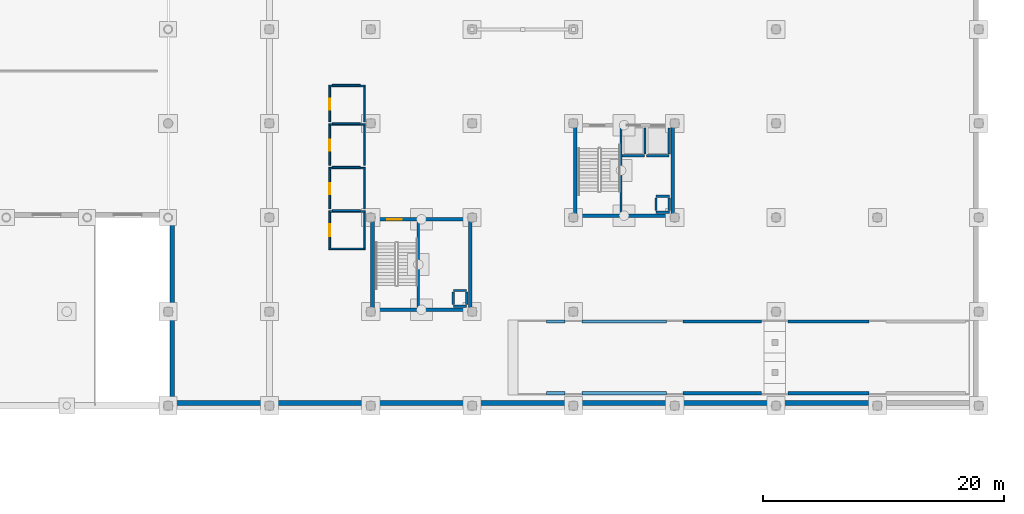
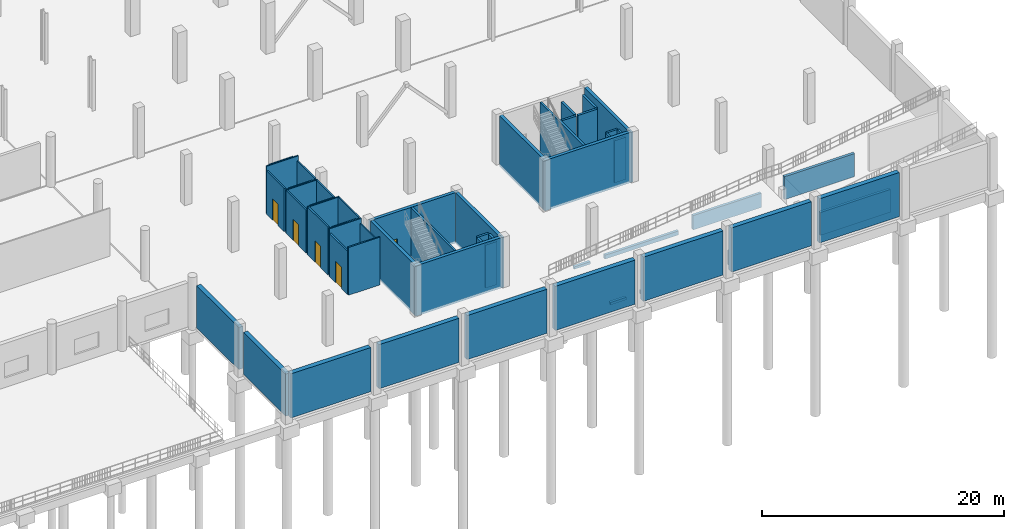
# One storey, part 32 of 48: 55 walls, 5 doors, 5 openings.
"""IFC4 building model written with IfcOpenShell, lengths in metres."""

import ifcopenshell
import ifcopenshell.guid

model = None  # the IFC model being written
_history = None  # IfcOwnerHistory: only IFC2X3 demands one
_inside = {}  # id of a spatial element -> (the spatial element, [elements in it])
_under = {}  # id of a project, library or spatial element -> (it, [spatial elements below it])
_declared = {}  # id of a project -> (the project, [libraries it declares])
_typed = {}  # id of a type object -> (the type object, [elements of that type])
_made_of = {}  # id of a material, layer set ... -> (it, [elements and type objects made of it])


def new_model(schema):
    """Start an empty IFC model of exactly this schema.

    Asked for "IFC4X3", IfcOpenShell would pick the latest addendum, in which some entities
    have other attributes; the version numbers below select the first issue.
    IFC2X3 requires an IfcOwnerHistory on every rooted entity: one is made here for all.
    """
    global model, _history
    if schema == "IFC4X3":
        model = ifcopenshell.file(schema_version=(4, 3, 0, 0))
    else:
        model = ifcopenshell.file(schema=schema)
    _inside.clear()
    _under.clear()
    _declared.clear()
    _typed.clear()
    _made_of.clear()
    _history = None
    if model.schema == "IFC2X3":
        org = make("IfcOrganization", Name="unknown")
        user = make(
            "IfcPersonAndOrganization",
            ThePerson=make("IfcPerson", FamilyName="unknown"),
            TheOrganization=org,
        )
        app = make(
            "IfcApplication",
            ApplicationDeveloper=org,
            Version="unknown",
            ApplicationFullName="unknown",
            ApplicationIdentifier="unknown",
        )
        _history = make(
            "IfcOwnerHistory",
            OwningUser=user,
            OwningApplication=app,
            ChangeAction="ADDED",
            CreationDate=0,
        )
    return model


def make(cls, **values):
    """One entity of the class cls with the attributes given. An attribute that is None is left unset."""
    return model.create_entity(
        cls, **{name: value for name, value in values.items() if value is not None}
    )


def rooted(cls, **values):
    """An entity with a GlobalId (a new one), such as an element, a storey or a relation."""
    return make(cls, GlobalId=ifcopenshell.guid.new(), OwnerHistory=_history, **values)


def si_unit(unit_type, name, prefix=None):
    """IfcSIUnit, for example si_unit("LENGTHUNIT", "METRE", prefix="MILLI")."""
    return make("IfcSIUnit", UnitType=unit_type, Prefix=prefix, Name=name)


def assignment(units):
    """IfcUnitAssignment: the units of a project."""
    return None if units is None else make("IfcUnitAssignment", Units=units)


def point(xyz):
    """IfcCartesianPoint."""
    return None if xyz is None else make("IfcCartesianPoint", Coordinates=xyz)


def direction(xyz):
    """IfcDirection."""
    return None if xyz is None else make("IfcDirection", DirectionRatios=xyz)


def frame(location, z_axis=None, x_axis=None):
    """IfcAxis2Placement3D, a coordinate frame: its origin and axes. An axis left out is left unset."""
    return make(
        "IfcAxis2Placement3D",
        Location=point(location),
        Axis=direction(z_axis),
        RefDirection=direction(x_axis),
    )


def frame_2d(location, x_axis=None):
    """IfcAxis2Placement2D, a coordinate frame in the plane: its origin and x axis."""
    return make(
        "IfcAxis2Placement2D", Location=point(location), RefDirection=direction(x_axis)
    )


def origin():
    """The frame at (0, 0, 0) with its axes left unset."""
    return frame((0.0, 0.0, 0.0))


def place(relative_to, where):
    """IfcLocalPlacement: puts the frame where relative to a parent placement (None: the world)."""
    return make(
        "IfcLocalPlacement", PlacementRelTo=relative_to, RelativePlacement=where
    )


def context(
    kind, dimensions, precision=None, world=None, true_north=None, identifier=None
):
    """IfcGeometricRepresentationContext, for example the 3D "Model" context."""
    return make(
        "IfcGeometricRepresentationContext",
        ContextIdentifier=identifier,
        ContextType=kind,
        CoordinateSpaceDimension=dimensions,
        Precision=precision,
        WorldCoordinateSystem=world,
        TrueNorth=true_north,
    )


def subcontext(parent, identifier, kind, view, scale=None):
    """IfcGeometricRepresentationSubContext, for example "Body" below "Model"."""
    return make(
        "IfcGeometricRepresentationSubContext",
        ContextIdentifier=identifier,
        ContextType=kind,
        ParentContext=parent,
        TargetScale=scale,
        TargetView=view,
    )


def project(units=None, contexts=None):
    """IfcProject with its units and contexts."""
    return rooted(
        "IfcProject",
        Name="project",
        RepresentationContexts=contexts,
        UnitsInContext=assignment(units),
    )


def spatial(cls, under=None, at=None, **own):
    """A site, building, storey or space (cls), placed at a placement, below another one or the project."""
    s = rooted(cls, ObjectPlacement=at, **own)
    if under is not None:
        _under.setdefault(under.id(), (under, []))[1].append(s)
    return s


def profile(cls, at=None, kind="AREA", **sizes):
    """A parametric profile (cls). Its sizes go by their IFC names, for example OverallWidth=200.0."""
    return make(cls, ProfileType=kind, Position=at, **sizes)


def rectangle(**sizes):
    """IfcRectangleProfileDef."""
    return profile("IfcRectangleProfileDef", **sizes)


def extrude(swept, where, along, depth):
    """IfcExtrudedAreaSolid: the profile swept, set in the frame where, extruded along a direction by depth."""
    return make(
        "IfcExtrudedAreaSolid",
        SweptArea=swept,
        Position=where,
        ExtrudedDirection=direction(along),
        Depth=depth,
    )


def shape(context_of_items, identifier, shape_type, items):
    """IfcShapeRepresentation: the items that make up one representation, for example the "Body"."""
    return make(
        "IfcShapeRepresentation",
        ContextOfItems=context_of_items,
        RepresentationIdentifier=identifier,
        RepresentationType=shape_type,
        Items=items,
    )


def material(Name=None, Category=None):
    """IfcMaterial."""
    return make("IfcMaterial", Name=Name, Category=Category)


def layer(
    of_material, thickness, ventilated=None, Name=None, Category=None, Priority=None
):
    """IfcMaterialLayer: one layer of a wall or slab, of a material (None: an air gap)."""
    return make(
        "IfcMaterialLayer",
        Material=of_material,
        LayerThickness=thickness,
        IsVentilated=ventilated,
        Name=Name,
        Category=Category,
        Priority=Priority,
    )


def layer_set(layers, Name=None):
    """IfcMaterialLayerSet."""
    return make("IfcMaterialLayerSet", MaterialLayers=layers, LayerSetName=Name)


def made_of(thing, what):
    """Note that an element or type object is made of a material, layer set ...; save() writes the relation."""
    if what is not None:
        _made_of.setdefault(what.id(), (what, []))[1].append(thing)
    return thing


def type_object(cls, material=None, **own):
    """A type object (cls), such as IfcWallType, which elements share."""
    return made_of(rooted(cls, **own), material)


def element(
    cls,
    number,
    at=None,
    inside=None,
    cuts=None,
    type_object=None,
    material=None,
    context=None,
    identifier="Body",
    shape_type=None,
    held_by="IfcProductDefinitionShape",
    body=None,
    shapes=None,
    **own,
):
    """One element of the class cls, such as IfcWall. Its Tag is "e" and its number.

    at: its placement. inside: the storey or other place that contains it. cuts: it is an
    opening in that element (IfcRelVoidsElement). A single representation is given by context,
    identifier, shape_type and body (its items); several are given by shapes. held_by: the class
    of the entity that holds the representations. save() writes the other relations.
    """
    e = rooted(cls, Tag="e%d" % number, ObjectPlacement=at, **own)
    if body is not None:
        shapes = [shape(context, identifier, shape_type, body)]
    if shapes is not None:
        e.Representation = make(held_by, Representations=shapes)
    if inside is not None:
        _inside.setdefault(inside.id(), (inside, []))[1].append(e)
    if cuts is not None:
        rooted(
            "IfcRelVoidsElement", RelatingBuildingElement=cuts, RelatedOpeningElement=e
        )
    if type_object is not None:
        _typed.setdefault(type_object.id(), (type_object, []))[1].append(e)
    return made_of(e, material)


def fill(opening, filler):
    """IfcRelFillsElement: the door or window that sits in an opening."""
    return rooted(
        "IfcRelFillsElement",
        RelatingOpeningElement=opening,
        RelatedBuildingElement=filler,
    )


def aggregate(whole, parts):
    """IfcRelAggregates: a whole, such as a stair, and the parts it consists of."""
    return rooted("IfcRelAggregates", RelatingObject=whole, RelatedObjects=parts)


def save(model, path):
    """Write the relations noted so far, then the file.

    IfcRelAggregates (storeys below a building ...), IfcRelContainedInSpatialStructure (elements
    in a storey), IfcRelDefinesByType, IfcRelAssociatesMaterial and IfcRelDeclares: one each for
    every whole, place, type object, material and project.
    """
    for whole, parts in _under.values():
        aggregate(whole, parts)
    for where, things in _inside.values():
        rooted(
            "IfcRelContainedInSpatialStructure",
            RelatedElements=things,
            RelatingStructure=where,
        )
    for kind, things in _typed.values():
        rooted("IfcRelDefinesByType", RelatedObjects=things, RelatingType=kind)
    for what, things in _made_of.values():
        rooted("IfcRelAssociatesMaterial", RelatedObjects=things, RelatingMaterial=what)
    for by, libraries in _declared.values():
        rooted("IfcRelDeclares", RelatingContext=by, RelatedDefinitions=libraries)
    model.write(path)


model = new_model("IFC4")

# Units and contexts
model_context = context("Model", 3, precision=1e-05, world=origin(), true_north=direction((0.0, 1.0)))
body_context = subcontext(model_context, "Body", "Model", "MODEL_VIEW")
ifc_project = project(units=[si_unit("LENGTHUNIT", "METRE"), si_unit("AREAUNIT", "SQUARE_METRE"), si_unit("VOLUMEUNIT", "CUBIC_METRE"), si_unit("PLANEANGLEUNIT", "RADIAN"), si_unit("MASSUNIT", "GRAM", prefix="KILO")], contexts=[model_context])

# Site, building, storey
site_placement = place(None, origin())
site = spatial("IfcSite", under=ifc_project, at=site_placement, CompositionType="ELEMENT")
building_placement = place(site_placement, origin())
building = spatial("IfcBuilding", under=site, at=building_placement, Name="Nabrawat Pavilion Hospital", CompositionType="ELEMENT")
storey_placement = place(building_placement, frame((0.0, 0.0, -5.10009765625)))
storey = spatial("IfcBuildingStorey", under=building, at=storey_placement, Name="B1", CompositionType="ELEMENT", Elevation=-5.10009765625)

# Walls
ifc_material_1 = material(Name="Concrete C35/45", Category="concrete")
ifc_layer_1 = layer(ifc_material_1, 0.43994140625, Name="Concrete C35/45")
ifc_layer_set_1 = layer_set([ifc_layer_1], Name="Concrete C35/45")
wall_type_1 = type_object("IfcWallType", Name="Basement Deep RC Retaining Wall 440", PredefinedType="USERDEFINED", material=ifc_layer_set_1)
wall_1_placement = place(storey_placement, frame((126.389892578125, 0.219970703125, 0.0), z_axis=(0.0, 0.0, 1.0), x_axis=(1.0, 0.0, 0.0)))
element("IfcWall", 1, at=wall_1_placement, inside=storey, type_object=wall_type_1, Name="B1 Perimeter Retaining Wall 052", ObjectType="RETAININGWALL", PredefinedType="USERDEFINED", context=body_context, shape_type="SweptSolid", body=[
    extrude(rectangle(XDim=7.6201171875, YDim=0.43994140625, at=frame_2d((3.81005859375, 0.0))), origin(), (0.0, 0.0, 1.0), 4.4501953125),
])
wall_2_placement = place(storey_placement, frame((134.7900390625, 0.219970703125, 0.0), z_axis=(0.0, 0.0, 1.0), x_axis=(1.0, 0.0, 0.0)))
element("IfcWall", 2, at=wall_2_placement, inside=storey, type_object=wall_type_1, Name="B1 Perimeter Retaining Wall 053", ObjectType="RETAININGWALL", PredefinedType="USERDEFINED", context=body_context, shape_type="SweptSolid", body=[
    extrude(rectangle(XDim=7.619873046875, YDim=0.43994140625, at=frame_2d((3.81005859375, 0.0))), origin(), (0.0, 0.0, 1.0), 4.4501953125),
])
wall_3_placement = place(storey_placement, frame((143.18994140625, 0.219970703125, 0.0), z_axis=(0.0, 0.0, 1.0), x_axis=(1.0, 0.0, 0.0)))
element("IfcWall", 3, at=wall_3_placement, inside=storey, type_object=wall_type_1, Name="B1 Perimeter Retaining Wall 054", ObjectType="RETAININGWALL", PredefinedType="USERDEFINED", context=body_context, shape_type="SweptSolid", body=[
    extrude(rectangle(XDim=7.6201171875, YDim=0.43994140625, at=frame_2d((3.81005859375, 0.0))), origin(), (0.0, 0.0, 1.0), 4.4501953125),
])
wall_4_placement = place(storey_placement, frame((151.590087890625, 0.219970703125, 0.0), z_axis=(0.0, 0.0, 1.0), x_axis=(1.0, 0.0, 0.0)))
element("IfcWall", 4, at=wall_4_placement, inside=storey, type_object=wall_type_1, Name="B1 Perimeter Retaining Wall 055", ObjectType="RETAININGWALL", PredefinedType="USERDEFINED", context=body_context, shape_type="SweptSolid", body=[
    extrude(rectangle(XDim=7.619873046875, YDim=0.43994140625, at=frame_2d((3.81005859375, 0.0))), origin(), (0.0, 0.0, 1.0), 4.4501953125),
])
for number, where, z_axis, x_axis, name in (
    (5, (159.989990234375, 0.219970703125, 0.0), (0.0, 0.0, 1.0), (1.0, 0.0, 0.0), "B1 Perimeter Retaining Wall 056"),
    (6, (168.389892578125, 0.219970703125, 0.0), (0.0, 0.0, 1.0), (1.0, 0.0, 0.0), "B1 Perimeter Retaining Wall 057"),
):
    element("IfcWall", number, at=place(storey_placement, frame(where, z_axis=z_axis, x_axis=x_axis)), inside=storey, type_object=wall_type_1, Name=name, ObjectType="RETAININGWALL", PredefinedType="USERDEFINED", context=body_context, shape_type="SweptSolid", body=[
        extrude(rectangle(XDim=7.6201171875, YDim=0.43994140625, at=frame_2d((3.81005859375, 0.0))), origin(), (0.0, 0.0, 1.0), 4.4501953125),
    ])
wall_5_placement = place(storey_placement, frame((176.7900390625, 0.219970703125, 0.0), z_axis=(0.0, 0.0, 1.0), x_axis=(1.0, 0.0, 0.0)))
element("IfcWall", 7, at=wall_5_placement, inside=storey, type_object=wall_type_1, Name="B1 Perimeter Retaining Wall 058", ObjectType="RETAININGWALL", PredefinedType="USERDEFINED", context=body_context, shape_type="SweptSolid", body=[
    extrude(rectangle(XDim=7.619873046875, YDim=0.43994140625, at=frame_2d((3.81005859375, 0.0))), origin(), (0.0, 0.0, 1.0), 4.4501953125),
])
ifc_layer_2 = layer(ifc_material_1, 0.39990234375, Name="Concrete C35/45")
ifc_layer_set_2 = layer_set([ifc_layer_2], Name="Concrete C35/45")
wall_type_2 = type_object("IfcWallType", Name="Basement RC Retaining Wall 400", PredefinedType="USERDEFINED", material=ifc_layer_set_2)
for number, where, z_axis, x_axis, name in (
    (8, (126.340087890625, 0.43994140625, 0.0), (0.0, 0.0, 1.0), (0.0, 1.0, 0.0), "B1 Perimeter Retaining Wall 050"),
    (9, (126.340087890625, 8.18994140625, 0.0), (0.0, 0.0, 1.0), (0.0, 1.0, 0.0), "B1 Perimeter Retaining Wall 051"),
):
    element("IfcWall", number, at=place(storey_placement, frame(where, z_axis=z_axis, x_axis=x_axis)), inside=storey, type_object=wall_type_2, Name=name, ObjectType="RETAININGWALL", PredefinedType="USERDEFINED", context=body_context, shape_type="SweptSolid", body=[
        extrude(rectangle(XDim=6.969970703125, YDim=0.39990234375, at=frame_2d((3.48486328125, 0.0))), origin(), (0.0, 0.0, 1.0), 4.25),
    ])

# Wall, opening, door
ifc_material_2 = material(Name="Gypsum Fireboard on Steel Stud", Category="steel")
ifc_layer_3 = layer(ifc_material_2, 0.14990234375, Name="Gypsum Fireboard on Steel Stud")
ifc_layer_set_3 = layer_set([ifc_layer_3], Name="Gypsum Fireboard on Steel Stud")
wall_type_3 = type_object("IfcWallType", Name="Clinical Corridor Smoke-Barrier Wall 150", PredefinedType="PARTITIONING", material=ifc_layer_set_3)
wall_6_placement = place(storey_placement, frame((139.39990234375, 13.06494140625, 0.0), z_axis=(0.0, 0.0, 1.0), x_axis=(0.0, 1.0, 0.0)))
wall_6 = element("IfcWall", 10, at=wall_6_placement, inside=storey, type_object=wall_type_3, Name="B1 B1 Accessible WC Front Partition", PredefinedType="PARTITIONING", context=body_context, shape_type="SweptSolid", body=[
    extrude(rectangle(XDim=2.969970703125, YDim=0.14990234375, at=frame_2d((1.48486328125, 0.0))), origin(), (0.0, 0.0, 1.0), 4.35009765625),
])
opening_1_placement = place(wall_6_placement, frame((0.985107421875, 0.0, 0.0)))
opening_1 = element("IfcOpeningElement", 11, at=opening_1_placement, cuts=wall_6, Name="Opening D-WC-ACC", PredefinedType="OPENING", context=body_context, shape_type="SweptSolid", body=[
    extrude(rectangle(XDim=1.0, YDim=2.14990234375, at=frame_2d((0.5, 1.074951171875))), frame((0.0, 0.0849609375, 0.0), z_axis=(0.0, -1.0, 0.0), x_axis=(1.0, 0.0, 0.0)), (0.0, 0.0, 1.0), 0.169921875),
])
ifc_material_3 = material(Name="Stainless-Clad Acoustic Timber and Vision Glass", Category="wood")
door_type_1 = type_object("IfcDoorType", Name="Accessible Washroom Outward Door 1000x2150", OperationType="NOTDEFINED", PredefinedType="DOOR", material=ifc_material_3)
door_1_placement = place(opening_1_placement, origin())
door_1 = element("IfcDoor", 12, at=door_1_placement, inside=storey, type_object=door_type_1, Name="B1 Accessible WC Door", OperationType="SINGLE_SWING_LEFT", OverallHeight=2.14990234375, OverallWidth=1.0, PredefinedType="DOOR", context=body_context, shape_type="SweptSolid", body=[
    extrude(rectangle(XDim=1.0, YDim=2.14990234375, at=frame_2d((0.5, 1.074951171875))), frame((0.0, 0.02490234375, 0.0), z_axis=(0.0, -1.0, 0.0), x_axis=(1.0, 0.0, 0.0)), (0.0, 0.0, 1.0), 0.050048828125),
])
fill(opening_1, door_1)

wall_7_placement = place(storey_placement, frame((139.39990234375, 16.324951171875, 0.0), z_axis=(0.0, 0.0, 1.0), x_axis=(0.0, 1.0, 0.0)))
wall_7 = element("IfcWall", 13, at=wall_7_placement, inside=storey, type_object=wall_type_3, Name="B1 B1 Visitor Female Washroom Front Partition", PredefinedType="PARTITIONING", context=body_context, shape_type="SweptSolid", body=[
    extrude(rectangle(XDim=3.31005859375, YDim=0.14990234375, at=frame_2d((1.655029296875, 0.0))), origin(), (0.0, 0.0, 1.0), 4.820068359375),
])
opening_2_placement = place(wall_7_placement, frame((1.195068359375, 0.0, 0.0)))
opening_2 = element("IfcOpeningElement", 14, at=opening_2_placement, cuts=wall_7, Name="Opening D-WC-STD", PredefinedType="OPENING", context=body_context, shape_type="SweptSolid", body=[
    extrude(rectangle(XDim=0.919921875, YDim=2.14990234375, at=frame_2d((0.4599609375, 1.074951171875))), frame((0.0, 0.0849609375, 0.0), z_axis=(0.0, -1.0, 0.0), x_axis=(1.0, 0.0, 0.0)), (0.0, 0.0, 1.0), 0.169921875),
])
door_type_2 = type_object("IfcDoorType", Name="Washroom Lobby Privacy Door 920x2150", OperationType="NOTDEFINED", PredefinedType="DOOR", material=ifc_material_3)
door_2_placement = place(opening_2_placement, origin())
door_2 = element("IfcDoor", 15, at=door_2_placement, inside=storey, type_object=door_type_2, Name="B1 Visitor Female Washroom Door", OperationType="SINGLE_SWING_RIGHT", OverallHeight=2.14990234375, OverallWidth=0.919921875, PredefinedType="DOOR", context=body_context, shape_type="SweptSolid", body=[
    extrude(rectangle(XDim=0.919921875, YDim=2.14990234375, at=frame_2d((0.4599609375, 1.074951171875))), frame((0.0, 0.02490234375, 0.0), z_axis=(0.0, -1.0, 0.0), x_axis=(1.0, 0.0, 0.0)), (0.0, 0.0, 1.0), 0.050048828125),
])
fill(opening_2, door_2)

wall_8_placement = place(storey_placement, frame((139.39990234375, 19.925048828125, 0.0), z_axis=(0.0, 0.0, 1.0), x_axis=(0.0, 1.0, 0.0)))
wall_8 = element("IfcWall", 16, at=wall_8_placement, inside=storey, type_object=wall_type_3, Name="B1 B1 Visitor Male Washroom Front Partition", PredefinedType="PARTITIONING", context=body_context, shape_type="SweptSolid", body=[
    extrude(rectangle(XDim=3.31005859375, YDim=0.14990234375, at=frame_2d((1.655029296875, 0.0))), origin(), (0.0, 0.0, 1.0), 4.35009765625),
])
opening_3_placement = place(wall_8_placement, frame((1.195068359375, 0.0, 0.0)))
opening_3 = element("IfcOpeningElement", 17, at=opening_3_placement, cuts=wall_8, Name="Opening D-WC-STD", PredefinedType="OPENING", context=body_context, shape_type="SweptSolid", body=[
    extrude(rectangle(XDim=0.919921875, YDim=2.14990234375, at=frame_2d((0.4599609375, 1.074951171875))), frame((0.0, 0.0849609375, 0.0), z_axis=(0.0, -1.0, 0.0), x_axis=(1.0, 0.0, 0.0)), (0.0, 0.0, 1.0), 0.169921875),
])
door_3_placement = place(opening_3_placement, origin())
door_3 = element("IfcDoor", 18, at=door_3_placement, inside=storey, type_object=door_type_2, Name="B1 Visitor Male Washroom Door", OperationType="SINGLE_SWING_LEFT", OverallHeight=2.14990234375, OverallWidth=0.919921875, PredefinedType="DOOR", context=body_context, shape_type="SweptSolid", body=[
    extrude(rectangle(XDim=0.919921875, YDim=2.14990234375, at=frame_2d((0.4599609375, 1.074951171875))), frame((0.0, 0.02490234375, 0.0), z_axis=(0.0, -1.0, 0.0), x_axis=(1.0, 0.0, 0.0)), (0.0, 0.0, 1.0), 0.050048828125),
])
fill(opening_3, door_3)

wall_9_placement = place(storey_placement, frame((139.39990234375, 23.52490234375, 0.0), z_axis=(0.0, 0.0, 1.0), x_axis=(0.0, 1.0, 0.0)))
wall_9 = element("IfcWall", 19, at=wall_9_placement, inside=storey, type_object=wall_type_3, Name="B1 B1 Clinical Staff WC Front Partition", PredefinedType="PARTITIONING", context=body_context, shape_type="SweptSolid", body=[
    extrude(rectangle(XDim=2.91015625, YDim=0.14990234375, at=frame_2d((1.455078125, 0.0))), origin(), (0.0, 0.0, 1.0), 4.35009765625),
])
opening_4_placement = place(wall_9_placement, frame((0.9951171875, 0.0, 0.0)))
opening_4 = element("IfcOpeningElement", 20, at=opening_4_placement, cuts=wall_9, Name="Opening D-WC-STD", PredefinedType="OPENING", context=body_context, shape_type="SweptSolid", body=[
    extrude(rectangle(XDim=0.919921875, YDim=2.14990234375, at=frame_2d((0.4599609375, 1.074951171875))), frame((0.0, 0.0849609375, 0.0), z_axis=(0.0, -1.0, 0.0), x_axis=(1.0, 0.0, 0.0)), (0.0, 0.0, 1.0), 0.169921875),
])
door_4_placement = place(opening_4_placement, origin())
door_4 = element("IfcDoor", 21, at=door_4_placement, inside=storey, type_object=door_type_2, Name="B1 Clinical Staff WC Door", OperationType="SINGLE_SWING_RIGHT", OverallHeight=2.14990234375, OverallWidth=0.919921875, PredefinedType="DOOR", context=body_context, shape_type="SweptSolid", body=[
    extrude(rectangle(XDim=0.919921875, YDim=2.14990234375, at=frame_2d((0.4599609375, 1.074951171875))), frame((0.0, 0.02490234375, 0.0), z_axis=(0.0, -1.0, 0.0), x_axis=(1.0, 0.0, 0.0)), (0.0, 0.0, 1.0), 0.050048828125),
])
fill(opening_4, door_4)

# Walls
ifc_material_4 = material(Name="Cement Board on Steel Stud", Category="steel")
ifc_layer_4 = layer(ifc_material_4, 0.1298828125, Name="Cement Board on Steel Stud")
ifc_layer_set_4 = layer_set([ifc_layer_4], Name="Cement Board on Steel Stud")
wall_type_4 = type_object("IfcWallType", Name="En-Suite Moisture-Resistant Partition 130", PredefinedType="PARTITIONING", material=ifc_layer_set_4)
for number, where, z_axis, x_axis, name in (
    (22, (139.3349609375, 13.0, 0.0), (0.0, 0.0, 1.0), (1.0, 0.0, 0.0), "B1 B1 Accessible WC South Partition"),
    (23, (139.3349609375, 16.10009765625, 0.0), (0.0, 0.0, 1.0), (1.0, 0.0, 0.0), "B1 B1 Accessible WC North Partition"),
):
    element("IfcWall", number, at=place(storey_placement, frame(where, z_axis=z_axis, x_axis=x_axis)), inside=storey, type_object=wall_type_4, Name=name, PredefinedType="PARTITIONING", context=body_context, shape_type="SweptSolid", body=[
        extrude(rectangle(XDim=3.030029296875, YDim=0.1298828125, at=frame_2d((1.51513671875, 0.0))), origin(), (0.0, 0.0, 1.0), 4.820068359375),
    ])
wall_10_placement = place(storey_placement, frame((142.300048828125, 13.06494140625, 0.0), z_axis=(0.0, 0.0, 1.0), x_axis=(0.0, 1.0, 0.0)))
element("IfcWall", 24, at=wall_10_placement, inside=storey, type_object=wall_type_4, Name="B1 B1 Accessible WC East Partition", PredefinedType="PARTITIONING", context=body_context, shape_type="SweptSolid", body=[
    extrude(rectangle(XDim=2.969970703125, YDim=0.1298828125, at=frame_2d((1.48486328125, 0.0))), origin(), (0.0, 0.0, 1.0), 4.35009765625),
])
wall_11_placement = place(storey_placement, frame((139.6201171875, 16.179931640625, 0.0), z_axis=(0.0, 0.0, 1.0), x_axis=(1.0, 0.0, 0.0)))
element("IfcWall", 25, at=wall_11_placement, inside=storey, type_object=wall_type_4, Name="B1 B1 Accessible WC Dividing Partition", PredefinedType="PARTITIONING", context=body_context, shape_type="SweptSolid", body=[
    extrude(rectangle(XDim=2.329833984375, YDim=0.1298828125, at=frame_2d((1.1650390625, 0.0))), origin(), (0.0, 0.0, 1.0), 4.820068359375),
])
wall_12_placement = place(storey_placement, frame((139.3349609375, 19.699951171875, 0.0), z_axis=(0.0, 0.0, 1.0), x_axis=(1.0, 0.0, 0.0)))
element("IfcWall", 26, at=wall_12_placement, inside=storey, type_object=wall_type_4, Name="B1 B1 Visitor Female Washroom North Partition", PredefinedType="PARTITIONING", context=body_context, shape_type="SweptSolid", body=[
    extrude(rectangle(XDim=3.030029296875, YDim=0.1298828125, at=frame_2d((1.51513671875, 0.0))), origin(), (0.0, 0.0, 1.0), 4.820068359375),
])
wall_13_placement = place(storey_placement, frame((142.300048828125, 16.324951171875, 0.0), z_axis=(0.0, 0.0, 1.0), x_axis=(0.0, 1.0, 0.0)))
element("IfcWall", 27, at=wall_13_placement, inside=storey, type_object=wall_type_4, Name="B1 B1 Visitor Female Washroom East Partition", PredefinedType="PARTITIONING", context=body_context, shape_type="SweptSolid", body=[
    extrude(rectangle(XDim=3.31005859375, YDim=0.1298828125, at=frame_2d((1.655029296875, 0.0))), origin(), (0.0, 0.0, 1.0), 4.820068359375),
])
wall_14_placement = place(storey_placement, frame((139.6201171875, 19.780029296875, 0.0), z_axis=(0.0, 0.0, 1.0), x_axis=(1.0, 0.0, 0.0)))
element("IfcWall", 28, at=wall_14_placement, inside=storey, type_object=wall_type_4, Name="B1 B1 Visitor Female Washroom Dividing Partition", PredefinedType="PARTITIONING", context=body_context, shape_type="SweptSolid", body=[
    extrude(rectangle(XDim=2.329833984375, YDim=0.1298828125, at=frame_2d((1.1650390625, 0.0))), origin(), (0.0, 0.0, 1.0), 4.820068359375),
])
wall_15_placement = place(storey_placement, frame((139.3349609375, 23.300048828125, 0.0), z_axis=(0.0, 0.0, 1.0), x_axis=(1.0, 0.0, 0.0)))
element("IfcWall", 29, at=wall_15_placement, inside=storey, type_object=wall_type_4, Name="B1 B1 Visitor Male Washroom North Partition", PredefinedType="PARTITIONING", context=body_context, shape_type="SweptSolid", body=[
    extrude(rectangle(XDim=3.030029296875, YDim=0.1298828125, at=frame_2d((1.51513671875, 0.0))), origin(), (0.0, 0.0, 1.0), 4.35009765625),
])
wall_16_placement = place(storey_placement, frame((142.300048828125, 19.925048828125, 0.0), z_axis=(0.0, 0.0, 1.0), x_axis=(0.0, 1.0, 0.0)))
element("IfcWall", 30, at=wall_16_placement, inside=storey, type_object=wall_type_4, Name="B1 B1 Visitor Male Washroom East Partition", PredefinedType="PARTITIONING", context=body_context, shape_type="SweptSolid", body=[
    extrude(rectangle(XDim=3.31005859375, YDim=0.1298828125, at=frame_2d((1.655029296875, 0.0))), origin(), (0.0, 0.0, 1.0), 4.35009765625),
])
wall_17_placement = place(storey_placement, frame((139.6201171875, 23.3798828125, 0.0), z_axis=(0.0, 0.0, 1.0), x_axis=(1.0, 0.0, 0.0)))
element("IfcWall", 31, at=wall_17_placement, inside=storey, type_object=wall_type_4, Name="B1 B1 Visitor Male Washroom Dividing Partition", PredefinedType="PARTITIONING", context=body_context, shape_type="SweptSolid", body=[
    extrude(rectangle(XDim=2.329833984375, YDim=0.1298828125, at=frame_2d((1.1650390625, 0.0))), origin(), (0.0, 0.0, 1.0), 4.35009765625),
])
wall_18_placement = place(storey_placement, frame((139.3349609375, 26.5, 0.0), z_axis=(0.0, 0.0, 1.0), x_axis=(1.0, 0.0, 0.0)))
element("IfcWall", 32, at=wall_18_placement, inside=storey, type_object=wall_type_4, Name="B1 B1 Clinical Staff WC North Partition", PredefinedType="PARTITIONING", context=body_context, shape_type="SweptSolid", body=[
    extrude(rectangle(XDim=3.030029296875, YDim=0.1298828125, at=frame_2d((1.51513671875, 0.0))), origin(), (0.0, 0.0, 1.0), 4.820068359375),
])
wall_19_placement = place(storey_placement, frame((142.300048828125, 23.52490234375, 0.0), z_axis=(0.0, 0.0, 1.0), x_axis=(0.0, 1.0, 0.0)))
element("IfcWall", 33, at=wall_19_placement, inside=storey, type_object=wall_type_4, Name="B1 B1 Clinical Staff WC East Partition", PredefinedType="PARTITIONING", context=body_context, shape_type="SweptSolid", body=[
    extrude(rectangle(XDim=2.91015625, YDim=0.1298828125, at=frame_2d((1.455078125, 0.0))), origin(), (0.0, 0.0, 1.0), 4.35009765625),
])
wall_20_placement = place(storey_placement, frame((139.6201171875, 26.580078125, 0.0), z_axis=(0.0, 0.0, 1.0), x_axis=(1.0, 0.0, 0.0)))
element("IfcWall", 34, at=wall_20_placement, inside=storey, type_object=wall_type_4, Name="B1 B1 Clinical Staff WC Dividing Partition", PredefinedType="PARTITIONING", context=body_context, shape_type="SweptSolid", body=[
    extrude(rectangle(XDim=2.329833984375, YDim=0.1298828125, at=frame_2d((1.1650390625, 0.0))), origin(), (0.0, 0.0, 1.0), 4.820068359375),
])
ifc_layer_5 = layer(ifc_material_1, 0.199951171875, Name="Concrete C35/45")
ifc_layer_set_5 = layer_set([ifc_layer_5], Name="Concrete C35/45")
wall_type_5 = type_object("IfcWallType", Name="Lift and Riser Fire Shaft Wall 200", PredefinedType="PARTITIONING", material=ifc_layer_set_5)
wall_21_placement = place(storey_placement, frame((163.550048828125, 15.919921875, -0.219970703125), z_axis=(0.0, 0.0, 1.0), x_axis=(0.0, 1.0, 0.0)))
element("IfcWall", 35, at=wall_21_placement, inside=storey, type_object=wall_type_5, Name="B1 CORE-4 Stair-Lift Dividing Shear Wall", PredefinedType="SHEAR", context=body_context, shape_type="SweptSolid", body=[
    extrude(rectangle(XDim=7.16015625, YDim=0.199951171875, at=frame_2d((3.580078125, 0.0))), origin(), (0.0, 0.0, 1.0), 5.090087890625),
])
for number, where, z_axis, x_axis, name in (
    (36, (166.449951171875, 16.050048828125, 0.0), (0.0, 0.0, 1.0), (1.0, 0.0, 0.0), "B1 CORE-4 MEP Riser Shaft Wall S"),
    (37, (166.449951171875, 17.35009765625, 0.0), (0.0, 0.0, 1.0), (1.0, 0.0, 0.0), "B1 CORE-4 MEP Riser Shaft Wall N"),
):
    element("IfcWall", number, at=place(storey_placement, frame(where, z_axis=z_axis, x_axis=x_axis)), inside=storey, type_object=wall_type_5, Name=name, PredefinedType="PARTITIONING", context=body_context, shape_type="SweptSolid", body=[
        extrude(rectangle(XDim=1.10009765625, YDim=0.199951171875, at=frame_2d((0.550048828125, 0.0))), origin(), (0.0, 0.0, 1.0), 4.25),
    ])
for number, where, z_axis, x_axis, name in (
    (38, (166.449951171875, 16.169921875, 0.0), (0.0, 0.0, 1.0), (0.0, 1.0, 0.0), "B1 CORE-4 MEP Riser Shaft Wall W"),
    (39, (167.550048828125, 16.169921875, 0.0), (0.0, 0.0, 1.0), (0.0, 1.0, 0.0), "B1 CORE-4 MEP Riser Shaft Wall E"),
):
    element("IfcWall", number, at=place(storey_placement, frame(where, z_axis=z_axis, x_axis=x_axis)), inside=storey, type_object=wall_type_5, Name=name, PredefinedType="PARTITIONING", context=body_context, shape_type="SweptSolid", body=[
        extrude(rectangle(XDim=1.06005859375, YDim=0.199951171875, at=frame_2d((0.530029296875, 0.0))), origin(), (0.0, 0.0, 1.0), 4.25),
    ])
wall_22_placement = place(storey_placement, frame((165.5400390625, 20.8798828125, 0.0), z_axis=(0.0, 0.0, 1.0), x_axis=(0.0, 1.0, 0.0)))
element("IfcWall", 40, at=wall_22_placement, inside=storey, type_object=wall_type_5, Name="B1 Lift LP-03 Shaft East Wall", PredefinedType="PARTITIONING", context=body_context, shape_type="SweptSolid", body=[
    extrude(rectangle(XDim=2.14013671875, YDim=0.199951171875, at=frame_2d((1.070068359375, 0.0))), origin(), (0.0, 0.0, 1.0), 4.25),
])
wall_23_placement = place(storey_placement, frame((163.64990234375, 20.719970703125, 0.0), z_axis=(0.0, 0.0, 1.0), x_axis=(1.0, 0.0, 0.0)))
element("IfcWall", 41, at=wall_23_placement, inside=storey, type_object=wall_type_5, Name="B1 Lift LP-03 Shaft Back Wall", PredefinedType="PARTITIONING", context=body_context, shape_type="SweptSolid", body=[
    extrude(rectangle(XDim=1.860107421875, YDim=0.199951171875, at=frame_2d((0.93017578125, 0.0))), origin(), (0.0, 0.0, 1.0), 4.25),
])
wall_24_placement = place(storey_placement, frame((167.56005859375, 20.8798828125, 0.0), z_axis=(0.0, 0.0, 1.0), x_axis=(0.0, 1.0, 0.0)))
element("IfcWall", 42, at=wall_24_placement, inside=storey, type_object=wall_type_5, Name="B1 Lift LP-04 Shaft East Wall", PredefinedType="PARTITIONING", context=body_context, shape_type="SweptSolid", body=[
    extrude(rectangle(XDim=2.14013671875, YDim=0.199951171875, at=frame_2d((1.070068359375, 0.0))), origin(), (0.0, 0.0, 1.0), 4.25),
])
wall_25_placement = place(storey_placement, frame((165.669921875, 20.719970703125, 0.0), z_axis=(0.0, 0.0, 1.0), x_axis=(1.0, 0.0, 0.0)))
element("IfcWall", 43, at=wall_25_placement, inside=storey, type_object=wall_type_5, Name="B1 Lift LP-04 Shaft Back Wall", PredefinedType="PARTITIONING", context=body_context, shape_type="SweptSolid", body=[
    extrude(rectangle(XDim=1.860107421875, YDim=0.199951171875, at=frame_2d((0.93017578125, 0.0))), origin(), (0.0, 0.0, 1.0), 4.25),
])
wall_26_placement = place(storey_placement, frame((146.75, 8.1201171875, -0.219970703125), z_axis=(0.0, 0.0, 1.0), x_axis=(0.0, 1.0, 0.0)))
element("IfcWall", 44, at=wall_26_placement, inside=storey, type_object=wall_type_5, Name="B1 CORE-8 Stair-Lift Dividing Shear Wall", PredefinedType="SHEAR", context=body_context, shape_type="SweptSolid", body=[
    extrude(rectangle(XDim=7.159912109375, YDim=0.199951171875, at=frame_2d((3.580078125, 0.0))), origin(), (0.0, 0.0, 1.0), 5.090087890625),
])
for number, where, z_axis, x_axis, name in (
    (45, (149.64990234375, 8.25, 0.0), (0.0, 0.0, 1.0), (1.0, 0.0, 0.0), "B1 CORE-8 MEP Riser Shaft Wall S"),
    (46, (149.64990234375, 9.550048828125, 0.0), (0.0, 0.0, 1.0), (1.0, 0.0, 0.0), "B1 CORE-8 MEP Riser Shaft Wall N"),
):
    element("IfcWall", number, at=place(storey_placement, frame(where, z_axis=z_axis, x_axis=x_axis)), inside=storey, type_object=wall_type_5, Name=name, PredefinedType="PARTITIONING", context=body_context, shape_type="SweptSolid", body=[
        extrude(rectangle(XDim=1.10009765625, YDim=0.199951171875, at=frame_2d((0.550048828125, 0.0))), origin(), (0.0, 0.0, 1.0), 4.35009765625),
    ])
for number, where, z_axis, x_axis, name in (
    (47, (149.64990234375, 8.3701171875, 0.0), (0.0, 0.0, 1.0), (0.0, 1.0, 0.0), "B1 CORE-8 MEP Riser Shaft Wall W"),
    (48, (150.75, 8.3701171875, 0.0), (0.0, 0.0, 1.0), (0.0, 1.0, 0.0), "B1 CORE-8 MEP Riser Shaft Wall E"),
):
    element("IfcWall", number, at=place(storey_placement, frame(where, z_axis=z_axis, x_axis=x_axis)), inside=storey, type_object=wall_type_5, Name=name, PredefinedType="PARTITIONING", context=body_context, shape_type="SweptSolid", body=[
        extrude(rectangle(XDim=1.059814453125, YDim=0.199951171875, at=frame_2d((0.52978515625, 0.0))), origin(), (0.0, 0.0, 1.0), 4.35009765625),
    ])
ifc_layer_6 = layer(ifc_material_1, 0.25, Name="Concrete C35/45")
ifc_layer_set_6 = layer_set([ifc_layer_6], Name="Concrete C35/45")
wall_type_6 = type_object("IfcWallType", Name="RC Vehicle Ramp Shear Support Wall 250", PredefinedType="SHEAR", material=ifc_layer_set_6)
for number, where, z_axis, x_axis, name in (
    (49, (157.360107421875, 1.030029296875, 0.0), (0.0, 0.0, 1.0), (1.0, 0.0, 0.0), "B1 Vehicle Ramp S Structural Support Wall F1A"),
    (50, (157.360107421875, 6.969970703125, 0.0), (0.0, 0.0, 1.0), (1.0, 0.0, 0.0), "B1 Vehicle Ramp N Structural Support Wall F1A"),
):
    element("IfcWall", number, at=place(storey_placement, frame(where, z_axis=z_axis, x_axis=x_axis)), inside=storey, type_object=wall_type_6, Name=name, PredefinedType="SHEAR", context=body_context, shape_type="SweptSolid", body=[
        extrude(rectangle(XDim=1.539794921875, YDim=0.25, at=frame_2d((0.77001953125, 0.0))), origin(), (0.0, 0.0, 1.0), 0.25),
    ])
for number, where, z_axis, x_axis, name in (
    (51, (160.300048828125, 1.030029296875, 0.0), (0.0, 0.0, 1.0), (1.0, 0.0, 0.0), "B1 Vehicle Ramp S Structural Support Wall F1B"),
    (52, (160.300048828125, 6.969970703125, 0.0), (0.0, 0.0, 1.0), (1.0, 0.0, 0.0), "B1 Vehicle Ramp N Structural Support Wall F1B"),
):
    element("IfcWall", number, at=place(storey_placement, frame(where, z_axis=z_axis, x_axis=x_axis)), inside=storey, type_object=wall_type_6, Name=name, PredefinedType="SHEAR", context=body_context, shape_type="SweptSolid", body=[
        extrude(rectangle(XDim=7.0, YDim=0.25, at=frame_2d((3.5, 0.0))), origin(), (0.0, 0.0, 1.0), 0.392578125),
    ])
for number, where, z_axis, x_axis, name in (
    (53, (168.699951171875, 1.030029296875, 0.0), (0.0, 0.0, 1.0), (1.0, 0.0, 0.0), "B1 Vehicle Ramp S Structural Support Wall F1C"),
    (54, (168.699951171875, 6.969970703125, 0.0), (0.0, 0.0, 1.0), (1.0, 0.0, 0.0), "B1 Vehicle Ramp N Structural Support Wall F1C"),
):
    element("IfcWall", number, at=place(storey_placement, frame(where, z_axis=z_axis, x_axis=x_axis)), inside=storey, type_object=wall_type_6, Name=name, PredefinedType="SHEAR", context=body_context, shape_type="SweptSolid", body=[
        extrude(rectangle(XDim=6.5, YDim=0.25, at=frame_2d((3.25, 0.0))), origin(), (0.0, 0.0, 1.0), 1.442626953125),
    ])
for number, where, z_axis, x_axis, name in (
    (55, (177.39990234375, 1.030029296875, 0.0), (0.0, 0.0, 1.0), (1.0, 0.0, 0.0), "B1 Vehicle Ramp S Structural Support Wall F2A"),
    (56, (177.39990234375, 6.969970703125, 0.0), (0.0, 0.0, 1.0), (1.0, 0.0, 0.0), "B1 Vehicle Ramp N Structural Support Wall F2A"),
):
    element("IfcWall", number, at=place(storey_placement, frame(where, z_axis=z_axis, x_axis=x_axis)), inside=storey, type_object=wall_type_6, Name=name, PredefinedType="SHEAR", context=body_context, shape_type="SweptSolid", body=[
        extrude(rectangle(XDim=6.7001953125, YDim=0.25, at=frame_2d((3.35009765625, 0.0))), origin(), (0.0, 0.0, 1.0), 2.313720703125),
    ])
ifc_material_5 = material(Name="Concrete C40/50", Category="concrete")
ifc_layer_7 = layer(ifc_material_5, 0.300048828125, Name="Concrete C40/50")
ifc_layer_set_7 = layer_set([ifc_layer_7], Name="Concrete C40/50")
wall_type_7 = type_object("IfcWallType", Name="Reinforced Concrete Core Shear Wall 300", PredefinedType="SHEAR", material=ifc_layer_set_7)
wall_27_placement = place(storey_placement, frame((159.60009765625, 15.75, -0.219970703125), z_axis=(0.0, 0.0, 1.0), x_axis=(1.0, 0.0, 0.0)))
element("IfcWall", 57, at=wall_27_placement, inside=storey, type_object=wall_type_7, Name="B1 CORE-4 South Core Shear Wall", PredefinedType="SHEAR", context=body_context, shape_type="SweptSolid", body=[
    extrude(rectangle(XDim=8.39990234375, YDim=0.300048828125, at=frame_2d((4.199951171875, 0.0))), origin(), (0.0, 0.0, 1.0), 5.090087890625),
])
for number, where, z_axis, x_axis, name in (
    (58, (159.75, 15.89990234375, -0.219970703125), (0.0, 0.0, 1.0), (0.0, 1.0, 0.0), "B1 CORE-4 West Core Shear Wall"),
    (59, (167.85009765625, 15.89990234375, -0.219970703125), (0.0, 0.0, 1.0), (0.0, 1.0, 0.0), "B1 CORE-4 East Core Shear Wall"),
):
    element("IfcWall", number, at=place(storey_placement, frame(where, z_axis=z_axis, x_axis=x_axis)), inside=storey, type_object=wall_type_7, Name=name, PredefinedType="SHEAR", context=body_context, shape_type="SweptSolid", body=[
        extrude(rectangle(XDim=7.2001953125, YDim=0.300048828125, at=frame_2d((3.60009765625, 0.0))), origin(), (0.0, 0.0, 1.0), 5.090087890625),
    ])
wall_28_placement = place(storey_placement, frame((142.800048828125, 7.949951171875, -0.219970703125), z_axis=(0.0, 0.0, 1.0), x_axis=(1.0, 0.0, 0.0)))
element("IfcWall", 60, at=wall_28_placement, inside=storey, type_object=wall_type_7, Name="B1 CORE-8 South Core Shear Wall", PredefinedType="SHEAR", context=body_context, shape_type="SweptSolid", body=[
    extrude(rectangle(XDim=8.39990234375, YDim=0.300048828125, at=frame_2d((4.199951171875, 0.0))), origin(), (0.0, 0.0, 1.0), 5.090087890625),
])

# Wall, opening, door
wall_29_placement = place(storey_placement, frame((142.800048828125, 15.449951171875, -0.219970703125), z_axis=(0.0, 0.0, 1.0), x_axis=(1.0, 0.0, 0.0)))
wall_29 = element("IfcWall", 61, at=wall_29_placement, inside=storey, type_object=wall_type_7, Name="B1 CORE-8 North Core Shear Wall", PredefinedType="SHEAR", context=body_context, shape_type="SweptSolid", body=[
    extrude(rectangle(XDim=8.39990234375, YDim=0.300048828125, at=frame_2d((4.199951171875, 0.0))), origin(), (0.0, 0.0, 1.0), 5.090087890625),
])
opening_5_placement = place(wall_29_placement, frame((1.3798828125, 0.0, 0.219970703125)))
opening_5 = element("IfcOpeningElement", 62, at=opening_5_placement, cuts=wall_29, Name="Opening D-STAIR", PredefinedType="OPENING", context=body_context, shape_type="SweptSolid", body=[
    extrude(rectangle(XDim=1.199951171875, YDim=2.14990234375, at=frame_2d((0.60009765625, 1.074951171875))), frame((0.0, 0.16015625, 0.0), z_axis=(0.0, -1.0, 0.0), x_axis=(1.0, 0.0, 0.0)), (0.0, 0.0, 1.0), 0.320068359375),
])
door_type_3 = type_object("IfcDoorType", Name="D-STAIR Exit Stair Fire Door 1200x2150", OperationType="NOTDEFINED", PredefinedType="DOOR", material=ifc_material_3)
door_5_placement = place(opening_5_placement, origin())
door_5 = element("IfcDoor", 63, at=door_5_placement, inside=storey, type_object=door_type_3, Name="B1 ST-08 Fire Exit Stair Door", OperationType="SINGLE_SWING_RIGHT", OverallHeight=2.14990234375, OverallWidth=1.199951171875, PredefinedType="DOOR", context=body_context, shape_type="SweptSolid", body=[
    extrude(rectangle(XDim=1.199951171875, YDim=2.14990234375, at=frame_2d((0.60009765625, 1.074951171875))), frame((0.0, 0.02490234375, 0.0), z_axis=(0.0, -1.0, 0.0), x_axis=(1.0, 0.0, 0.0)), (0.0, 0.0, 1.0), 0.050048828125),
])
fill(opening_5, door_5)

# Walls
for number, where, z_axis, x_axis, name in (
    (64, (142.949951171875, 8.10009765625, -0.219970703125), (0.0, 0.0, 1.0), (0.0, 1.0, 0.0), "B1 CORE-8 West Core Shear Wall"),
    (65, (151.050048828125, 8.10009765625, -0.219970703125), (0.0, 0.0, 1.0), (0.0, 1.0, 0.0), "B1 CORE-8 East Core Shear Wall"),
):
    element("IfcWall", number, at=place(storey_placement, frame(where, z_axis=z_axis, x_axis=x_axis)), inside=storey, type_object=wall_type_7, Name=name, PredefinedType="SHEAR", context=body_context, shape_type="SweptSolid", body=[
        extrude(rectangle(XDim=7.199951171875, YDim=0.300048828125, at=frame_2d((3.60009765625, 0.0))), origin(), (0.0, 0.0, 1.0), 5.090087890625),
    ])

save(model, "model.ifc")
